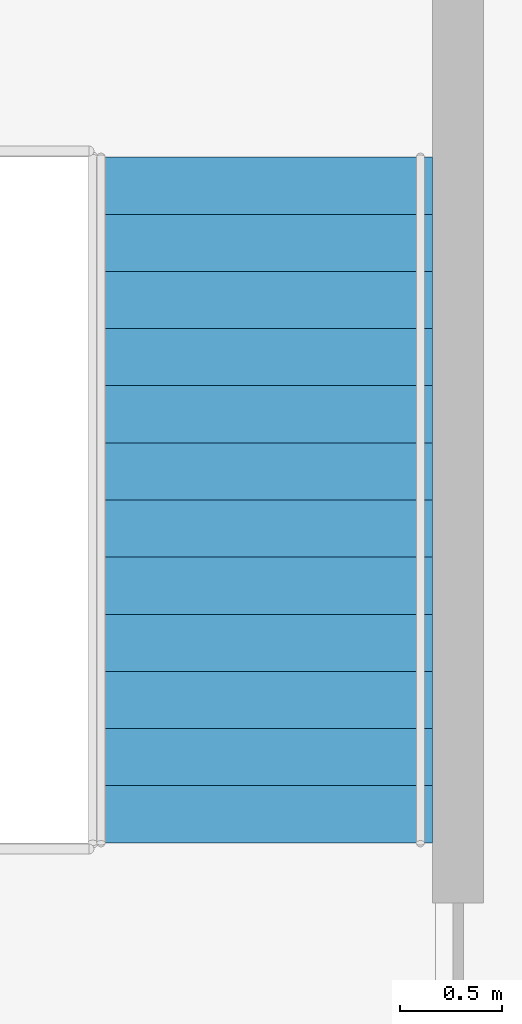
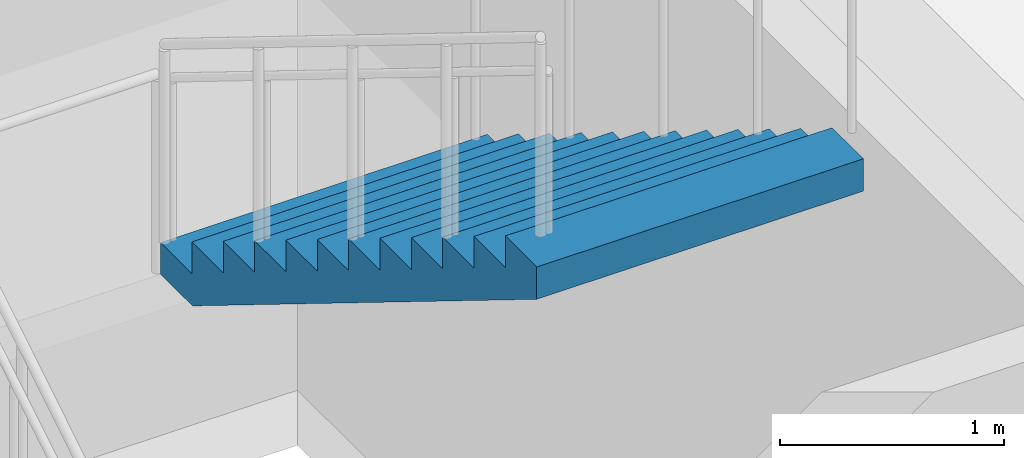
# One storey, part 15 of 16: 1 stair flight, 1 element without a shape of its own.
"""IFC4 building model written with IfcOpenShell, lengths in metres."""

from ifc_helpers import new_model, si_unit, direction, frame, origin, place, context, subcontext, project, spatial, triangles, material, type_object, element, aggregate, save


model = new_model("IFC4")

# Units and contexts
model_context = context("Model", 3, precision=1e-05, world=origin(), true_north=direction((0.0, 1.0)))
body_context = subcontext(model_context, "Body", "Model", "MODEL_VIEW")
ifc_project = project(units=[si_unit("LENGTHUNIT", "METRE"), si_unit("AREAUNIT", "SQUARE_METRE"), si_unit("VOLUMEUNIT", "CUBIC_METRE"), si_unit("PLANEANGLEUNIT", "RADIAN"), si_unit("MASSUNIT", "GRAM", prefix="KILO")], contexts=[model_context])

# Site, building, storey
site_placement = place(None, origin())
site = spatial("IfcSite", under=ifc_project, at=site_placement, CompositionType="ELEMENT")
building_placement = place(site_placement, origin())
building = spatial("IfcBuilding", under=site, at=building_placement, Name="Orbita Commons", CompositionType="ELEMENT")
storey_placement = place(building_placement, frame((0.0, 0.0, -4.5)))
storey = spatial("IfcBuildingStorey", under=building, at=storey_placement, Name="L-01", CompositionType="ELEMENT", Elevation=-4.5)

# Stair, stair flight
ifc_material_1 = material(Name="Precast concrete C40/50", Category="concrete")
stair_type = type_object("IfcStairType", Name="Podium exit stair 2 flights 13 risers 173", PredefinedType="HALF_TURN_STAIR", material=ifc_material_1)
stair_placement = place(storey_placement, origin())
stair = element("IfcStair", 1, at=stair_placement, inside=storey, type_object=stair_type, Name="Podium exit stair PS2 L-01", PredefinedType="HALF_TURN_STAIR")
ifc_material_2 = material(Name="Precast concrete C40/50", Category="concrete")
stair_flight_type = type_object("IfcStairFlightType", Name="Podium stair flight 13 risers 173 x 1685", PredefinedType="STRAIGHT", material=ifc_material_2)
stair_flight_placement = place(storey_placement, frame((76.4326171875, 33.179931640625, 2.25), z_axis=(0.0, 0.0, 1.0), x_axis=(0.0, -1.0, 0.0)))
stair_flight = element("IfcStairFlight", 2, at=stair_flight_placement, type_object=stair_flight_type, Name="PS2 flight 2", NumberOfRisers=13, NumberOfTreads=12, PredefinedType="STRAIGHT", RiserHeight=0.173076923, TreadLength=0.28, context=body_context, shape_type="Tessellation", body=[
    triangles([(0.0, 0.842529, 0.0), (0.0, 0.842529, 0.021635), (0.0, 0.702108, 0.021635), (0.0, 0.702108, 0.0), (0.0, 0.561686, 0.021635), (0.0, 0.561686, 0.0), (0.0, 0.421265, 0.021635), (0.0, 0.421265, 0.0), (0.0, 0.280843, 0.021635), (0.0, 0.280843, 0.0), (0.0, 0.140422, 0.021635), (0.0, 0.140422, 0.0), (0.0, 0.0, 0.021635), (0.0, 0.0, 0.0), (0.0, -0.140422, 0.021635), (0.0, -0.140422, 0.0), (0.0, -0.280843, 0.021635), (0.0, -0.280843, 0.0), (0.0, -0.421265, 0.021635), (0.0, -0.421265, 0.0), (0.0, -0.561686, 0.021635), (0.0, -0.561686, 0.0), (0.0, -0.702108, 0.021635), (0.0, -0.702108, 0.0), (0.0, -0.842529, 0.021635), (0.0, -0.842529, 0.0), (0.0, 0.842529, 0.043269), (0.0, 0.702108, 0.043269), (0.0, 0.561686, 0.043269), (0.0, 0.421265, 0.043269), (0.0, 0.280843, 0.043269), (0.0, 0.140422, 0.043269), (0.0, 0.0, 0.043269), (0.0, -0.140422, 0.043269), (0.0, -0.280843, 0.043269), (0.0, -0.421265, 0.043269), (0.0, -0.561686, 0.043269), (0.0, -0.702108, 0.043269), (0.0, -0.842529, 0.043269), (0.0, 0.842529, 0.064904), (0.0, 0.702108, 0.064904), (0.0, 0.561686, 0.064904), (0.0, 0.421265, 0.064904), (0.0, 0.280843, 0.064904), (0.0, 0.140422, 0.064904), (0.0, 0.0, 0.064904), (0.0, -0.140422, 0.064904), (0.0, -0.280843, 0.064904), (0.0, -0.421265, 0.064904), (0.0, -0.561686, 0.064904), (0.0, -0.702108, 0.064904), (0.0, -0.842529, 0.064904), (0.0, 0.842529, 0.086538), (0.0, 0.702108, 0.086538), (0.0, 0.561686, 0.086538), (0.0, 0.421265, 0.086538), (0.0, 0.280843, 0.086538), (0.0, 0.140422, 0.086538), (0.0, 0.0, 0.086538), (0.0, -0.140422, 0.086538), (0.0, -0.280843, 0.086538), (0.0, -0.421265, 0.086538), (0.0, -0.561686, 0.086538), (0.0, -0.702108, 0.086538), (0.0, -0.842529, 0.086538), (0.0, 0.842529, 0.108173), (0.0, 0.702108, 0.108173), (0.0, 0.561686, 0.108173), (0.0, 0.421265, 0.108173), (0.0, 0.280843, 0.108173), (0.0, 0.140422, 0.108173), (0.0, 0.0, 0.108173), (0.0, -0.140422, 0.108173), (0.0, -0.280843, 0.108173), (0.0, -0.421265, 0.108173), (0.0, -0.561686, 0.108173), (0.0, -0.702108, 0.108173), (0.0, -0.842529, 0.108173), (0.0, 0.842529, 0.129808), (0.0, 0.702108, 0.129808), (0.0, 0.561686, 0.129808), (0.0, 0.421265, 0.129808), (0.0, 0.280843, 0.129808), (0.0, 0.140422, 0.129808), (0.0, 0.0, 0.129808), (0.0, -0.140422, 0.129808), (0.0, -0.280843, 0.129808), (0.0, -0.421265, 0.129808), (0.0, -0.561686, 0.129808), (0.0, -0.702108, 0.129808), (0.0, -0.842529, 0.129808), (0.0, 0.842529, 0.151442), (0.0, 0.702108, 0.151442), (0.0, 0.561686, 0.151442), (0.0, 0.421265, 0.151442), (0.0, 0.280843, 0.151442), (0.0, 0.140422, 0.151442), (0.0, 0.0, 0.151442), (0.0, -0.140422, 0.151442), (0.0, -0.280843, 0.151442), (0.0, -0.421265, 0.151442), (0.0, -0.561686, 0.151442), (0.0, -0.702108, 0.151442), (0.0, -0.842529, 0.151442), (0.0, 0.842529, 0.173077), (0.0, 0.702108, 0.173077), (0.0, 0.561686, 0.173077), (0.0, 0.421265, 0.173077), (0.0, 0.280843, 0.173077), (0.0, 0.140422, 0.173077), (0.0, 0.0, 0.173077), (0.0, -0.140422, 0.173077), (0.0, -0.280843, 0.173077), (0.0, -0.421265, 0.173077), (0.0, -0.561686, 0.173077), (0.0, -0.702108, 0.173077), (0.0, -0.842529, 0.173077), (0.28, 0.842529, 0.173077), (0.28, 0.702108, 0.173077), (0.28, 0.561686, 0.173077), (0.28, 0.421265, 0.173077), (0.28, 0.280843, 0.173077), (0.28, 0.140422, 0.173077), (0.28, 0.0, 0.173077), (0.28, -0.140422, 0.173077), (0.28, -0.280843, 0.173077), (0.28, -0.421265, 0.173077), (0.28, -0.561686, 0.173077), (0.28, -0.702108, 0.173077), (0.28, -0.842529, 0.173077), (0.28, 0.842529, 0.346154), (0.28, 0.702108, 0.346154), (0.28, 0.561686, 0.346154), (0.28, 0.421265, 0.346154), (0.28, 0.280843, 0.346154), (0.28, 0.140422, 0.346154), (0.28, 0.0, 0.346154), (0.28, -0.140422, 0.346154), (0.28, -0.280843, 0.346154), (0.28, -0.421265, 0.346154), (0.28, -0.561686, 0.346154), (0.28, -0.702108, 0.346154), (0.28, -0.842529, 0.346154), (0.56, 0.842529, 0.346154), (0.56, 0.702108, 0.346154), (0.56, 0.561686, 0.346154), (0.56, 0.421265, 0.346154), (0.56, 0.280843, 0.346154), (0.56, 0.140422, 0.346154), (0.56, 0.0, 0.346154), (0.56, -0.140422, 0.346154), (0.56, -0.280843, 0.346154), (0.56, -0.421265, 0.346154), (0.56, -0.561686, 0.346154), (0.56, -0.702108, 0.346154), (0.56, -0.842529, 0.346154), (0.56, 0.842529, 0.519231), (0.56, 0.702108, 0.519231), (0.56, 0.561686, 0.519231), (0.56, 0.421265, 0.519231), (0.56, 0.280843, 0.519231), (0.56, 0.140422, 0.519231), (0.56, 0.0, 0.519231), (0.56, -0.140422, 0.519231), (0.56, -0.280843, 0.519231), (0.56, -0.421265, 0.519231), (0.56, -0.561686, 0.519231), (0.56, -0.702108, 0.519231), (0.56, -0.842529, 0.519231), (0.84, 0.842529, 0.519231), (0.84, 0.702108, 0.519231), (0.84, 0.561686, 0.519231), (0.84, 0.421265, 0.519231), (0.84, 0.280843, 0.519231), (0.84, 0.140422, 0.519231), (0.84, 0.0, 0.519231), (0.84, -0.140422, 0.519231), (0.84, -0.280843, 0.519231), (0.84, -0.421265, 0.519231), (0.84, -0.561686, 0.519231), (0.84, -0.702108, 0.519231), (0.84, -0.842529, 0.519231), (0.84, 0.842529, 0.692308), (0.84, 0.702108, 0.692308), (0.84, 0.561686, 0.692308), (0.84, 0.421265, 0.692308), (0.84, 0.280843, 0.692308), (0.84, 0.140422, 0.692308), (0.84, 0.0, 0.692308), (0.84, -0.140422, 0.692308), (0.84, -0.280843, 0.692308), (0.84, -0.421265, 0.692308), (0.84, -0.561686, 0.692308), (0.84, -0.702108, 0.692308), (0.84, -0.842529, 0.692308), (1.12, 0.842529, 0.692308), (1.12, 0.702108, 0.692308), (1.12, 0.561686, 0.692308), (1.12, 0.421265, 0.692308), (1.12, 0.280843, 0.692308), (1.12, 0.140422, 0.692308), (1.12, 0.0, 0.692308), (1.12, -0.140422, 0.692308), (1.12, -0.280843, 0.692308), (1.12, -0.421265, 0.692308), (1.12, -0.561686, 0.692308), (1.12, -0.702108, 0.692308), (1.12, -0.842529, 0.692308), (1.12, 0.842529, 0.865385), (1.12, 0.702108, 0.865385), (1.12, 0.561686, 0.865385), (1.12, 0.421265, 0.865385), (1.12, 0.280843, 0.865385), (1.12, 0.140422, 0.865385), (1.12, 0.0, 0.865385), (1.12, -0.140422, 0.865385), (1.12, -0.280843, 0.865385), (1.12, -0.421265, 0.865385), (1.12, -0.561686, 0.865385), (1.12, -0.702108, 0.865385), (1.12, -0.842529, 0.865385), (1.4, 0.842529, 0.865385), (1.4, 0.702108, 0.865385), (1.4, 0.561686, 0.865385), (1.4, 0.421265, 0.865385), (1.4, 0.280843, 0.865385), (1.4, 0.140422, 0.865385), (1.4, 0.0, 0.865385), (1.4, -0.140422, 0.865385), (1.4, -0.280843, 0.865385), (1.4, -0.421265, 0.865385), (1.4, -0.561686, 0.865385), (1.4, -0.702108, 0.865385), (1.4, -0.842529, 0.865385), (1.4, 0.842529, 1.038462), (1.4, 0.702108, 1.038462), (1.4, 0.561686, 1.038462), (1.4, 0.421265, 1.038462), (1.4, 0.280843, 1.038462), (1.4, 0.140422, 1.038462), (1.4, 0.0, 1.038462), (1.4, -0.140422, 1.038462), (1.4, -0.280843, 1.038462), (1.4, -0.421265, 1.038462), (1.4, -0.561686, 1.038462), (1.4, -0.702108, 1.038462), (1.4, -0.842529, 1.038462), (1.68, 0.842529, 1.038462), (1.68, 0.702108, 1.038462), (1.68, 0.561686, 1.038462), (1.68, 0.421265, 1.038462), (1.68, 0.280843, 1.038462), (1.68, 0.140422, 1.038462), (1.68, 0.0, 1.038462), (1.68, -0.140422, 1.038462), (1.68, -0.280843, 1.038462), (1.68, -0.421265, 1.038462), (1.68, -0.561686, 1.038462), (1.68, -0.702108, 1.038462), (1.68, -0.842529, 1.038462), (1.68, 0.842529, 1.211538), (1.68, 0.702108, 1.211538), (1.68, 0.561686, 1.211538), (1.68, 0.421265, 1.211538), (1.68, 0.280843, 1.211538), (1.68, 0.140422, 1.211538), (1.68, 0.0, 1.211538), (1.68, -0.140422, 1.211538), (1.68, -0.280843, 1.211538), (1.68, -0.421265, 1.211538), (1.68, -0.561686, 1.211538), (1.68, -0.702108, 1.211538), (1.68, -0.842529, 1.211538), (1.96, 0.842529, 1.211538), (1.96, 0.702108, 1.211538), (1.96, 0.561686, 1.211538), (1.96, 0.421265, 1.211538), (1.96, 0.280843, 1.211538), (1.96, 0.140422, 1.211538), (1.96, 0.0, 1.211538), (1.96, -0.140422, 1.211538), (1.96, -0.280843, 1.211538), (1.96, -0.421265, 1.211538), (1.96, -0.561686, 1.211538), (1.96, -0.702108, 1.211538), (1.96, -0.842529, 1.211538), (1.96, 0.842529, 1.384615), (1.96, 0.702108, 1.384615), (1.96, 0.561686, 1.384615), (1.96, 0.421265, 1.384615), (1.96, 0.280843, 1.384615), (1.96, 0.140422, 1.384615), (1.96, 0.0, 1.384615), (1.96, -0.140422, 1.384615), (1.96, -0.280843, 1.384615), (1.96, -0.421265, 1.384615), (1.96, -0.561686, 1.384615), (1.96, -0.702108, 1.384615), (1.96, -0.842529, 1.384615), (2.24, 0.842529, 1.384615), (2.24, 0.702108, 1.384615), (2.24, 0.561686, 1.384615), (2.24, 0.421265, 1.384615), (2.24, 0.280843, 1.384615), (2.24, 0.140422, 1.384615), (2.24, 0.0, 1.384615), (2.24, -0.140422, 1.384615), (2.24, -0.280843, 1.384615), (2.24, -0.421265, 1.384615), (2.24, -0.561686, 1.384615), (2.24, -0.702108, 1.384615), (2.24, -0.842529, 1.384615), (2.24, 0.842529, 1.557692), (2.24, 0.702108, 1.557692), (2.24, 0.561686, 1.557692), (2.24, 0.421265, 1.557692), (2.24, 0.280843, 1.557692), (2.24, 0.140422, 1.557692), (2.24, 0.0, 1.557692), (2.24, -0.140422, 1.557692), (2.24, -0.280843, 1.557692), (2.24, -0.421265, 1.557692), (2.24, -0.561686, 1.557692), (2.24, -0.702108, 1.557692), (2.24, -0.842529, 1.557692), (2.52, 0.842529, 1.557692), (2.52, 0.702108, 1.557692), (2.52, 0.561686, 1.557692), (2.52, 0.421265, 1.557692), (2.52, 0.280843, 1.557692), (2.52, 0.140422, 1.557692), (2.52, 0.0, 1.557692), (2.52, -0.140422, 1.557692), (2.52, -0.280843, 1.557692), (2.52, -0.421265, 1.557692), (2.52, -0.561686, 1.557692), (2.52, -0.702108, 1.557692), (2.52, -0.842529, 1.557692), (2.52, 0.842529, 1.730769), (2.52, 0.702108, 1.730769), (2.52, 0.561686, 1.730769), (2.52, 0.421265, 1.730769), (2.52, 0.280843, 1.730769), (2.52, 0.140422, 1.730769), (2.52, 0.0, 1.730769), (2.52, -0.140422, 1.730769), (2.52, -0.280843, 1.730769), (2.52, -0.421265, 1.730769), (2.52, -0.561686, 1.730769), (2.52, -0.702108, 1.730769), (2.52, -0.842529, 1.730769), (2.8, 0.842529, 1.730769), (2.8, 0.702108, 1.730769), (2.8, 0.561686, 1.730769), (2.8, 0.421265, 1.730769), (2.8, 0.280843, 1.730769), (2.8, 0.140422, 1.730769), (2.8, 0.0, 1.730769), (2.8, -0.140422, 1.730769), (2.8, -0.280843, 1.730769), (2.8, -0.421265, 1.730769), (2.8, -0.561686, 1.730769), (2.8, -0.702108, 1.730769), (2.8, -0.842529, 1.730769), (2.8, 0.842529, 1.903846), (2.8, 0.702108, 1.903846), (2.8, 0.561686, 1.903846), (2.8, 0.421265, 1.903846), (2.8, 0.280843, 1.903846), (2.8, 0.140422, 1.903846), (2.8, 0.0, 1.903846), (2.8, -0.140422, 1.903846), (2.8, -0.280843, 1.903846), (2.8, -0.421265, 1.903846), (2.8, -0.561686, 1.903846), (2.8, -0.702108, 1.903846), (2.8, -0.842529, 1.903846), (3.08, 0.842529, 1.903846), (3.08, 0.702108, 1.903846), (3.08, 0.561686, 1.903846), (3.08, 0.421265, 1.903846), (3.08, 0.280843, 1.903846), (3.08, 0.140422, 1.903846), (3.08, 0.0, 1.903846), (3.08, -0.140422, 1.903846), (3.08, -0.280843, 1.903846), (3.08, -0.421265, 1.903846), (3.08, -0.561686, 1.903846), (3.08, -0.702108, 1.903846), (3.08, -0.842529, 1.903846), (3.08, 0.842529, 2.076923), (3.08, 0.702108, 2.076923), (3.08, 0.561686, 2.076923), (3.08, 0.421265, 2.076923), (3.08, 0.280843, 2.076923), (3.08, 0.140422, 2.076923), (3.08, 0.0, 2.076923), (3.08, -0.140422, 2.076923), (3.08, -0.280843, 2.076923), (3.08, -0.421265, 2.076923), (3.08, -0.561686, 2.076923), (3.08, -0.702108, 2.076923), (3.08, -0.842529, 2.076923), (3.36, 0.842529, 2.076923), (3.36, 0.702108, 2.076923), (3.36, 0.561686, 2.076923), (3.36, 0.421265, 2.076923), (3.36, 0.280843, 2.076923), (3.36, 0.140422, 2.076923), (3.36, 0.0, 2.076923), (3.36, -0.140422, 2.076923), (3.36, -0.280843, 2.076923), (3.36, -0.421265, 2.076923), (3.36, -0.561686, 2.076923), (3.36, -0.702108, 2.076923), (3.36, -0.842529, 2.076923), (3.36, 0.842529, 2.054895), (3.36, 0.702108, 2.054895), (3.36, 0.561686, 2.054895), (3.36, 0.421265, 2.054895), (3.36, 0.280843, 2.054895), (3.36, 0.140422, 2.054895), (3.36, 0.0, 2.054895), (3.36, -0.140422, 2.054895), (3.36, -0.280843, 2.054895), (3.36, -0.421265, 2.054895), (3.36, -0.561686, 2.054895), (3.36, -0.702108, 2.054895), (3.36, -0.842529, 2.054895), (3.36, 0.842529, 2.032866), (3.36, 0.702108, 2.032866), (3.36, 0.561686, 2.032866), (3.36, 0.421265, 2.032866), (3.36, 0.280843, 2.032866), (3.36, 0.140422, 2.032866), (3.36, 0.0, 2.032866), (3.36, -0.140422, 2.032866), (3.36, -0.280843, 2.032866), (3.36, -0.421265, 2.032866), (3.36, -0.561686, 2.032866), (3.36, -0.702108, 2.032866), (3.36, -0.842529, 2.032866), (3.36, 0.842529, 2.010837), (3.36, 0.702108, 2.010837), (3.36, 0.561686, 2.010837), (3.36, 0.421265, 2.010837), (3.36, 0.280843, 2.010837), (3.36, 0.140422, 2.010837), (3.36, 0.0, 2.010837), (3.36, -0.140422, 2.010837), (3.36, -0.280843, 2.010837), (3.36, -0.421265, 2.010837), (3.36, -0.561686, 2.010837), (3.36, -0.702108, 2.010837), (3.36, -0.842529, 2.010837), (3.36, 0.842529, 1.988809), (3.36, 0.702108, 1.988809), (3.36, 0.561686, 1.988809), (3.36, 0.421265, 1.988809), (3.36, 0.280843, 1.988809), (3.36, 0.140422, 1.988809), (3.36, 0.0, 1.988809), (3.36, -0.140422, 1.988809), (3.36, -0.280843, 1.988809), (3.36, -0.421265, 1.988809), (3.36, -0.561686, 1.988809), (3.36, -0.702108, 1.988809), (3.36, -0.842529, 1.988809), (3.36, 0.842529, 1.96678), (3.36, 0.702108, 1.96678), (3.36, 0.561686, 1.96678), (3.36, 0.421265, 1.96678), (3.36, 0.280843, 1.96678), (3.36, 0.140422, 1.96678), (3.36, 0.0, 1.96678), (3.36, -0.140422, 1.96678), (3.36, -0.280843, 1.96678), (3.36, -0.421265, 1.96678), (3.36, -0.561686, 1.96678), (3.36, -0.702108, 1.96678), (3.36, -0.842529, 1.96678), (3.36, 0.842529, 1.944752), (3.36, 0.702108, 1.944752), (3.36, 0.561686, 1.944752), (3.36, 0.421265, 1.944752), (3.36, 0.280843, 1.944752), (3.36, 0.140422, 1.944752), (3.36, 0.0, 1.944752), (3.36, -0.140422, 1.944752), (3.36, -0.280843, 1.944752), (3.36, -0.421265, 1.944752), (3.36, -0.561686, 1.944752), (3.36, -0.702108, 1.944752), (3.36, -0.842529, 1.944752), (3.36, 0.842529, 1.922723), (3.36, 0.702108, 1.922723), (3.36, 0.561686, 1.922723), (3.36, 0.421265, 1.922723), (3.36, 0.280843, 1.922723), (3.36, 0.140422, 1.922723), (3.36, 0.0, 1.922723), (3.36, -0.140422, 1.922723), (3.36, -0.280843, 1.922723), (3.36, -0.421265, 1.922723), (3.36, -0.561686, 1.922723), (3.36, -0.702108, 1.922723), (3.36, -0.842529, 1.922723), (3.36, 0.842529, 1.900695), (3.36, 0.702108, 1.900695), (3.36, 0.561686, 1.900695), (3.36, 0.421265, 1.900695), (3.36, 0.280843, 1.900695), (3.36, 0.140422, 1.900695), (3.36, 0.0, 1.900695), (3.36, -0.140422, 1.900695), (3.36, -0.280843, 1.900695), (3.36, -0.421265, 1.900695), (3.36, -0.561686, 1.900695), (3.36, -0.702108, 1.900695), (3.36, -0.842529, 1.900695), (0.285099, 0.842529, 0.0), (0.285099, 0.702108, 0.0), (0.285099, 0.561686, 0.0), (0.285099, 0.421265, 0.0), (0.285099, 0.280843, 0.0), (0.285099, 0.140422, 0.0), (0.285099, 0.0, 0.0), (0.285099, -0.140422, 0.0), (0.285099, -0.280843, 0.0), (0.285099, -0.421265, 0.0), (0.285099, -0.561686, 0.0), (0.285099, -0.702108, 0.0), (0.285099, -0.842529, 0.0)], [[3, 2, 1], [4, 3, 1], [5, 3, 4], [6, 5, 4], [7, 5, 6], [8, 7, 6], [9, 7, 8], [10, 9, 8], [11, 9, 10], [12, 11, 10], [13, 11, 12], [14, 13, 12], [15, 13, 14], [16, 15, 14], [17, 15, 16], [18, 17, 16], [19, 17, 18], [20, 19, 18], [21, 19, 20], [22, 21, 20], [23, 21, 22], [24, 23, 22], [25, 23, 24], [26, 25, 24], [28, 27, 2], [3, 28, 2], [29, 28, 3], [5, 29, 3], [30, 29, 5], [7, 30, 5], [31, 30, 7], [9, 31, 7], [32, 31, 9], [11, 32, 9], [33, 32, 11], [13, 33, 11], [34, 33, 13], [15, 34, 13], [35, 34, 15], [17, 35, 15], [36, 35, 17], [19, 36, 17], [37, 36, 19], [21, 37, 19], [38, 37, 21], [23, 38, 21], [39, 38, 23], [25, 39, 23], [41, 40, 27], [28, 41, 27], [42, 41, 28], [29, 42, 28], [43, 42, 29], [30, 43, 29], [44, 43, 30], [31, 44, 30], [45, 44, 31], [32, 45, 31], [46, 45, 32], [33, 46, 32], [47, 46, 33], [34, 47, 33], [48, 47, 34], [35, 48, 34], [49, 48, 35], [36, 49, 35], [50, 49, 36], [37, 50, 36], [51, 50, 37], [38, 51, 37], [52, 51, 38], [39, 52, 38], [54, 53, 40], [41, 54, 40], [55, 54, 41], [42, 55, 41], [56, 55, 42], [43, 56, 42], [57, 56, 43], [44, 57, 43], [58, 57, 44], [45, 58, 44], [59, 58, 45], [46, 59, 45], [60, 59, 46], [47, 60, 46], [61, 60, 47], [48, 61, 47], [62, 61, 48], [49, 62, 48], [63, 62, 49], [50, 63, 49], [64, 63, 50], [51, 64, 50], [65, 64, 51], [52, 65, 51], [67, 66, 53], [54, 67, 53], [68, 67, 54], [55, 68, 54], [69, 68, 55], [56, 69, 55], [70, 69, 56], [57, 70, 56], [71, 70, 57], [58, 71, 57], [72, 71, 58], [59, 72, 58], [73, 72, 59], [60, 73, 59], [74, 73, 60], [61, 74, 60], [75, 74, 61], [62, 75, 61], [76, 75, 62], [63, 76, 62], [77, 76, 63], [64, 77, 63], [78, 77, 64], [65, 78, 64], [80, 79, 66], [67, 80, 66], [81, 80, 67], [68, 81, 67], [82, 81, 68], [69, 82, 68], [83, 82, 69], [70, 83, 69], [84, 83, 70], [71, 84, 70], [85, 84, 71], [72, 85, 71], [86, 85, 72], [73, 86, 72], [87, 86, 73], [74, 87, 73], [88, 87, 74], [75, 88, 74], [89, 88, 75], [76, 89, 75], [90, 89, 76], [77, 90, 76], [91, 90, 77], [78, 91, 77], [93, 92, 79], [80, 93, 79], [94, 93, 80], [81, 94, 80], [95, 94, 81], [82, 95, 81], [96, 95, 82], [83, 96, 82], [97, 96, 83], [84, 97, 83], [98, 97, 84], [85, 98, 84], [99, 98, 85], [86, 99, 85], [100, 99, 86], [87, 100, 86], [101, 100, 87], [88, 101, 87], [102, 101, 88], [89, 102, 88], [103, 102, 89], [90, 103, 89], [104, 103, 90], [91, 104, 90], [106, 105, 92], [93, 106, 92], [107, 106, 93], [94, 107, 93], [108, 107, 94], [95, 108, 94], [109, 108, 95], [96, 109, 95], [110, 109, 96], [97, 110, 96], [111, 110, 97], [98, 111, 97], [112, 111, 98], [99, 112, 98], [113, 112, 99], [100, 113, 99], [114, 113, 100], [101, 114, 100], [115, 114, 101], [102, 115, 101], [116, 115, 102], [103, 116, 102], [117, 116, 103], [104, 117, 103], [119, 118, 105], [106, 119, 105], [120, 119, 106], [107, 120, 106], [121, 120, 107], [108, 121, 107], [122, 121, 108], [109, 122, 108], [123, 122, 109], [110, 123, 109], [124, 123, 110], [111, 124, 110], [125, 124, 111], [112, 125, 111], [126, 125, 112], [113, 126, 112], [127, 126, 113], [114, 127, 113], [128, 127, 114], [115, 128, 114], [129, 128, 115], [116, 129, 115], [130, 129, 116], [117, 130, 116], [132, 131, 118], [119, 132, 118], [133, 132, 119], [120, 133, 119], [134, 133, 120], [121, 134, 120], [135, 134, 121], [122, 135, 121], [136, 135, 122], [123, 136, 122], [137, 136, 123], [124, 137, 123], [138, 137, 124], [125, 138, 124], [139, 138, 125], [126, 139, 125], [140, 139, 126], [127, 140, 126], [141, 140, 127], [128, 141, 127], [142, 141, 128], [129, 142, 128], [143, 142, 129], [130, 143, 129], [145, 144, 131], [132, 145, 131], [146, 145, 132], [133, 146, 132], [147, 146, 133], [134, 147, 133], [148, 147, 134], [135, 148, 134], [149, 148, 135], [136, 149, 135], [150, 149, 136], [137, 150, 136], [151, 150, 137], [138, 151, 137], [152, 151, 138], [139, 152, 138], [153, 152, 139], [140, 153, 139], [154, 153, 140], [141, 154, 140], [155, 154, 141], [142, 155, 141], [156, 155, 142], [143, 156, 142], [158, 157, 144], [145, 158, 144], [159, 158, 145], [146, 159, 145], [160, 159, 146], [147, 160, 146], [161, 160, 147], [148, 161, 147], [162, 161, 148], [149, 162, 148], [163, 162, 149], [150, 163, 149], [164, 163, 150], [151, 164, 150], [165, 164, 151], [152, 165, 151], [166, 165, 152], [153, 166, 152], [167, 166, 153], [154, 167, 153], [168, 167, 154], [155, 168, 154], [169, 168, 155], [156, 169, 155], [171, 170, 157], [158, 171, 157], [172, 171, 158], [159, 172, 158], [173, 172, 159], [160, 173, 159], [174, 173, 160], [161, 174, 160], [175, 174, 161], [162, 175, 161], [176, 175, 162], [163, 176, 162], [177, 176, 163], [164, 177, 163], [178, 177, 164], [165, 178, 164], [179, 178, 165], [166, 179, 165], [180, 179, 166], [167, 180, 166], [181, 180, 167], [168, 181, 167], [182, 181, 168], [169, 182, 168], [184, 183, 170], [171, 184, 170], [185, 184, 171], [172, 185, 171], [186, 185, 172], [173, 186, 172], [187, 186, 173], [174, 187, 173], [188, 187, 174], [175, 188, 174], [189, 188, 175], [176, 189, 175], [190, 189, 176], [177, 190, 176], [191, 190, 177], [178, 191, 177], [192, 191, 178], [179, 192, 178], [193, 192, 179], [180, 193, 179], [194, 193, 180], [181, 194, 180], [195, 194, 181], [182, 195, 181], [197, 196, 183], [184, 197, 183], [198, 197, 184], [185, 198, 184], [199, 198, 185], [186, 199, 185], [200, 199, 186], [187, 200, 186], [201, 200, 187], [188, 201, 187], [202, 201, 188], [189, 202, 188], [203, 202, 189], [190, 203, 189], [204, 203, 190], [191, 204, 190], [205, 204, 191], [192, 205, 191], [206, 205, 192], [193, 206, 192], [207, 206, 193], [194, 207, 193], [208, 207, 194], [195, 208, 194], [210, 209, 196], [197, 210, 196], [211, 210, 197], [198, 211, 197], [212, 211, 198], [199, 212, 198], [213, 212, 199], [200, 213, 199], [214, 213, 200], [201, 214, 200], [215, 214, 201], [202, 215, 201], [216, 215, 202], [203, 216, 202], [217, 216, 203], [204, 217, 203], [218, 217, 204], [205, 218, 204], [219, 218, 205], [206, 219, 205], [220, 219, 206], [207, 220, 206], [221, 220, 207], [208, 221, 207], [223, 222, 209], [210, 223, 209], [224, 223, 210], [211, 224, 210], [225, 224, 211], [212, 225, 211], [226, 225, 212], [213, 226, 212], [227, 226, 213], [214, 227, 213], [228, 227, 214], [215, 228, 214], [229, 228, 215], [216, 229, 215], [230, 229, 216], [217, 230, 216], [231, 230, 217], [218, 231, 217], [232, 231, 218], [219, 232, 218], [233, 232, 219], [220, 233, 219], [234, 233, 220], [221, 234, 220], [236, 235, 222], [223, 236, 222], [237, 236, 223], [224, 237, 223], [238, 237, 224], [225, 238, 224], [239, 238, 225], [226, 239, 225], [240, 239, 226], [227, 240, 226], [241, 240, 227], [228, 241, 227], [242, 241, 228], [229, 242, 228], [243, 242, 229], [230, 243, 229], [244, 243, 230], [231, 244, 230], [245, 244, 231], [232, 245, 231], [246, 245, 232], [233, 246, 232], [247, 246, 233], [234, 247, 233], [249, 248, 235], [236, 249, 235], [250, 249, 236], [237, 250, 236], [251, 250, 237], [238, 251, 237], [252, 251, 238], [239, 252, 238], [253, 252, 239], [240, 253, 239], [254, 253, 240], [241, 254, 240], [255, 254, 241], [242, 255, 241], [256, 255, 242], [243, 256, 242], [257, 256, 243], [244, 257, 243], [258, 257, 244], [245, 258, 244], [259, 258, 245], [246, 259, 245], [260, 259, 246], [247, 260, 246], [262, 261, 248], [249, 262, 248], [263, 262, 249], [250, 263, 249], [264, 263, 250], [251, 264, 250], [265, 264, 251], [252, 265, 251], [266, 265, 252], [253, 266, 252], [267, 266, 253], [254, 267, 253], [268, 267, 254], [255, 268, 254], [269, 268, 255], [256, 269, 255], [270, 269, 256], [257, 270, 256], [271, 270, 257], [258, 271, 257], [272, 271, 258], [259, 272, 258], [273, 272, 259], [260, 273, 259], [275, 274, 261], [262, 275, 261], [276, 275, 262], [263, 276, 262], [277, 276, 263], [264, 277, 263], [278, 277, 264], [265, 278, 264], [279, 278, 265], [266, 279, 265], [280, 279, 266], [267, 280, 266], [281, 280, 267], [268, 281, 267], [282, 281, 268], [269, 282, 268], [283, 282, 269], [270, 283, 269], [284, 283, 270], [271, 284, 270], [285, 284, 271], [272, 285, 271], [286, 285, 272], [273, 286, 272], [288, 287, 274], [275, 288, 274], [289, 288, 275], [276, 289, 275], [290, 289, 276], [277, 290, 276], [291, 290, 277], [278, 291, 277], [292, 291, 278], [279, 292, 278], [293, 292, 279], [280, 293, 279], [294, 293, 280], [281, 294, 280], [295, 294, 281], [282, 295, 281], [296, 295, 282], [283, 296, 282], [297, 296, 283], [284, 297, 283], [298, 297, 284], [285, 298, 284], [299, 298, 285], [286, 299, 285], [301, 300, 287], [288, 301, 287], [302, 301, 288], [289, 302, 288], [303, 302, 289], [290, 303, 289], [304, 303, 290], [291, 304, 290], [305, 304, 291], [292, 305, 291], [306, 305, 292], [293, 306, 292], [307, 306, 293], [294, 307, 293], [308, 307, 294], [295, 308, 294], [309, 308, 295], [296, 309, 295], [310, 309, 296], [297, 310, 296], [311, 310, 297], [298, 311, 297], [312, 311, 298], [299, 312, 298], [314, 313, 300], [301, 314, 300], [315, 314, 301], [302, 315, 301], [316, 315, 302], [303, 316, 302], [317, 316, 303], [304, 317, 303], [318, 317, 304], [305, 318, 304], [319, 318, 305], [306, 319, 305], [320, 319, 306], [307, 320, 306], [321, 320, 307], [308, 321, 307], [322, 321, 308], [309, 322, 308], [323, 322, 309], [310, 323, 309], [324, 323, 310], [311, 324, 310], [325, 324, 311], [312, 325, 311], [327, 326, 313], [314, 327, 313], [328, 327, 314], [315, 328, 314], [329, 328, 315], [316, 329, 315], [330, 329, 316], [317, 330, 316], [331, 330, 317], [318, 331, 317], [332, 331, 318], [319, 332, 318], [333, 332, 319], [320, 333, 319], [334, 333, 320], [321, 334, 320], [335, 334, 321], [322, 335, 321], [336, 335, 322], [323, 336, 322], [337, 336, 323], [324, 337, 323], [338, 337, 324], [325, 338, 324], [340, 339, 326], [327, 340, 326], [341, 340, 327], [328, 341, 327], [342, 341, 328], [329, 342, 328], [343, 342, 329], [330, 343, 329], [344, 343, 330], [331, 344, 330], [345, 344, 331], [332, 345, 331], [346, 345, 332], [333, 346, 332], [347, 346, 333], [334, 347, 333], [348, 347, 334], [335, 348, 334], [349, 348, 335], [336, 349, 335], [350, 349, 336], [337, 350, 336], [351, 350, 337], [338, 351, 337], [353, 352, 339], [340, 353, 339], [354, 353, 340], [341, 354, 340], [355, 354, 341], [342, 355, 341], [356, 355, 342], [343, 356, 342], [357, 356, 343], [344, 357, 343], [358, 357, 344], [345, 358, 344], [359, 358, 345], [346, 359, 345], [360, 359, 346], [347, 360, 346], [361, 360, 347], [348, 361, 347], [362, 361, 348], [349, 362, 348], [363, 362, 349], [350, 363, 349], [364, 363, 350], [351, 364, 350], [366, 365, 352], [353, 366, 352], [367, 366, 353], [354, 367, 353], [368, 367, 354], [355, 368, 354], [369, 368, 355], [356, 369, 355], [370, 369, 356], [357, 370, 356], [371, 370, 357], [358, 371, 357], [372, 371, 358], [359, 372, 358], [373, 372, 359], [360, 373, 359], [374, 373, 360], [361, 374, 360], [375, 374, 361], [362, 375, 361], [376, 375, 362], [363, 376, 362], [377, 376, 363], [364, 377, 363], [379, 378, 365], [366, 379, 365], [380, 379, 366], [367, 380, 366], [381, 380, 367], [368, 381, 367], [382, 381, 368], [369, 382, 368], [383, 382, 369], [370, 383, 369], [384, 383, 370], [371, 384, 370], [385, 384, 371], [372, 385, 371], [386, 385, 372], [373, 386, 372], [387, 386, 373], [374, 387, 373], [388, 387, 374], [375, 388, 374], [389, 388, 375], [376, 389, 375], [390, 389, 376], [377, 390, 376], [392, 391, 378], [379, 392, 378], [393, 392, 379], [380, 393, 379], [394, 393, 380], [381, 394, 380], [395, 394, 381], [382, 395, 381], [396, 395, 382], [383, 396, 382], [397, 396, 383], [384, 397, 383], [398, 397, 384], [385, 398, 384], [399, 398, 385], [386, 399, 385], [400, 399, 386], [387, 400, 386], [401, 400, 387], [388, 401, 387], [402, 401, 388], [389, 402, 388], [403, 402, 389], [390, 403, 389], [405, 404, 391], [392, 405, 391], [406, 405, 392], [393, 406, 392], [407, 406, 393], [394, 407, 393], [408, 407, 394], [395, 408, 394], [409, 408, 395], [396, 409, 395], [410, 409, 396], [397, 410, 396], [411, 410, 397], [398, 411, 397], [412, 411, 398], [399, 412, 398], [413, 412, 399], [400, 413, 399], [414, 413, 400], [401, 414, 400], [415, 414, 401], [402, 415, 401], [416, 415, 402], [403, 416, 402], [418, 417, 404], [405, 418, 404], [419, 418, 405], [406, 419, 405], [420, 419, 406], [407, 420, 406], [421, 420, 407], [408, 421, 407], [422, 421, 408], [409, 422, 408], [423, 422, 409], [410, 423, 409], [424, 423, 410], [411, 424, 410], [425, 424, 411], [412, 425, 411], [426, 425, 412], [413, 426, 412], [427, 426, 413], [414, 427, 413], [428, 427, 414], [415, 428, 414], [429, 428, 415], [416, 429, 415], [431, 430, 417], [418, 431, 417], [432, 431, 418], [419, 432, 418], [433, 432, 419], [420, 433, 419], [434, 433, 420], [421, 434, 420], [435, 434, 421], [422, 435, 421], [436, 435, 422], [423, 436, 422], [437, 436, 423], [424, 437, 423], [438, 437, 424], [425, 438, 424], [439, 438, 425], [426, 439, 425], [440, 439, 426], [427, 440, 426], [441, 440, 427], [428, 441, 427], [442, 441, 428], [429, 442, 428], [444, 443, 430], [431, 444, 430], [445, 444, 431], [432, 445, 431], [446, 445, 432], [433, 446, 432], [447, 446, 433], [434, 447, 433], [448, 447, 434], [435, 448, 434], [449, 448, 435], [436, 449, 435], [450, 449, 436], [437, 450, 436], [451, 450, 437], [438, 451, 437], [452, 451, 438], [439, 452, 438], [453, 452, 439], [440, 453, 439], [454, 453, 440], [441, 454, 440], [455, 454, 441], [442, 455, 441], [457, 456, 443], [444, 457, 443], [458, 457, 444], [445, 458, 444], [459, 458, 445], [446, 459, 445], [460, 459, 446], [447, 460, 446], [461, 460, 447], [448, 461, 447], [462, 461, 448], [449, 462, 448], [463, 462, 449], [450, 463, 449], [464, 463, 450], [451, 464, 450], [465, 464, 451], [452, 465, 451], [466, 465, 452], [453, 466, 452], [467, 466, 453], [454, 467, 453], [468, 467, 454], [455, 468, 454], [470, 469, 456], [457, 470, 456], [471, 470, 457], [458, 471, 457], [472, 471, 458], [459, 472, 458], [473, 472, 459], [460, 473, 459], [474, 473, 460], [461, 474, 460], [475, 474, 461], [462, 475, 461], [476, 475, 462], [463, 476, 462], [477, 476, 463], [464, 477, 463], [478, 477, 464], [465, 478, 464], [479, 478, 465], [466, 479, 465], [480, 479, 466], [467, 480, 466], [481, 480, 467], [468, 481, 467], [483, 482, 469], [470, 483, 469], [484, 483, 470], [471, 484, 470], [485, 484, 471], [472, 485, 471], [486, 485, 472], [473, 486, 472], [487, 486, 473], [474, 487, 473], [488, 487, 474], [475, 488, 474], [489, 488, 475], [476, 489, 475], [490, 489, 476], [477, 490, 476], [491, 490, 477], [478, 491, 477], [492, 491, 478], [479, 492, 478], [493, 492, 479], [480, 493, 479], [494, 493, 480], [481, 494, 480], [496, 495, 482], [483, 496, 482], [497, 496, 483], [484, 497, 483], [498, 497, 484], [485, 498, 484], [499, 498, 485], [486, 499, 485], [500, 499, 486], [487, 500, 486], [501, 500, 487], [488, 501, 487], [502, 501, 488], [489, 502, 488], [503, 502, 489], [490, 503, 489], [504, 503, 490], [491, 504, 490], [505, 504, 491], [492, 505, 491], [506, 505, 492], [493, 506, 492], [507, 506, 493], [494, 507, 493], [509, 508, 495], [496, 509, 495], [510, 509, 496], [497, 510, 496], [511, 510, 497], [498, 511, 497], [512, 511, 498], [499, 512, 498], [513, 512, 499], [500, 513, 499], [514, 513, 500], [501, 514, 500], [515, 514, 501], [502, 515, 501], [516, 515, 502], [503, 516, 502], [517, 516, 503], [504, 517, 503], [518, 517, 504], [505, 518, 504], [519, 518, 505], [506, 519, 505], [520, 519, 506], [507, 520, 506], [522, 521, 508], [509, 522, 508], [523, 522, 509], [510, 523, 509], [524, 523, 510], [511, 524, 510], [525, 524, 511], [512, 525, 511], [526, 525, 512], [513, 526, 512], [527, 526, 513], [514, 527, 513], [528, 527, 514], [515, 528, 514], [529, 528, 515], [516, 529, 515], [530, 529, 516], [517, 530, 516], [531, 530, 517], [518, 531, 517], [532, 531, 518], [519, 532, 518], [533, 532, 519], [520, 533, 519], [4, 1, 521], [522, 4, 521], [6, 4, 522], [523, 6, 522], [8, 6, 523], [524, 8, 523], [10, 8, 524], [525, 10, 524], [12, 10, 525], [526, 12, 525], [14, 12, 526], [527, 14, 526], [16, 14, 527], [528, 16, 527], [18, 16, 528], [529, 18, 528], [20, 18, 529], [530, 20, 529], [22, 20, 530], [531, 22, 530], [24, 22, 531], [532, 24, 531], [26, 24, 532], [533, 26, 532], [508, 521, 1], [26, 533, 520], [495, 508, 1], [26, 520, 507], [482, 495, 1], [26, 507, 494], [469, 482, 1], [26, 494, 481], [456, 469, 1], [26, 481, 468], [443, 456, 1], [26, 468, 455], [430, 443, 1], [26, 455, 442], [417, 430, 1], [26, 442, 429], [391, 404, 417], [429, 416, 403], [378, 391, 417], [429, 403, 390], [352, 365, 378], [390, 377, 364], [352, 378, 417], [429, 390, 364], [326, 339, 352], [364, 351, 338], [326, 352, 417], [429, 364, 338], [300, 313, 326], [338, 325, 312], [300, 326, 417], [429, 338, 312], [274, 287, 300], [312, 299, 286], [274, 300, 417], [429, 312, 286], [248, 261, 274], [286, 273, 260], [248, 274, 417], [429, 286, 260], [222, 235, 248], [260, 247, 234], [222, 248, 417], [429, 260, 234], [196, 209, 222], [234, 221, 208], [196, 222, 417], [429, 234, 208], [170, 183, 196], [208, 195, 182], [170, 196, 417], [429, 208, 182], [144, 157, 170], [182, 169, 156], [144, 170, 417], [429, 182, 156], [118, 131, 144], [156, 143, 130], [118, 144, 417], [429, 156, 130], [118, 417, 1], [26, 429, 130], [92, 105, 118], [130, 117, 104], [79, 92, 118], [130, 104, 91], [66, 79, 118], [130, 91, 78], [53, 66, 118], [130, 78, 65], [40, 53, 118], [130, 65, 52], [27, 40, 118], [130, 52, 39], [2, 27, 118], [130, 39, 25], [1, 2, 118], [130, 25, 26]], closed=True),
])
aggregate(stair, [stair_flight])

save(model, "model.ifc")
